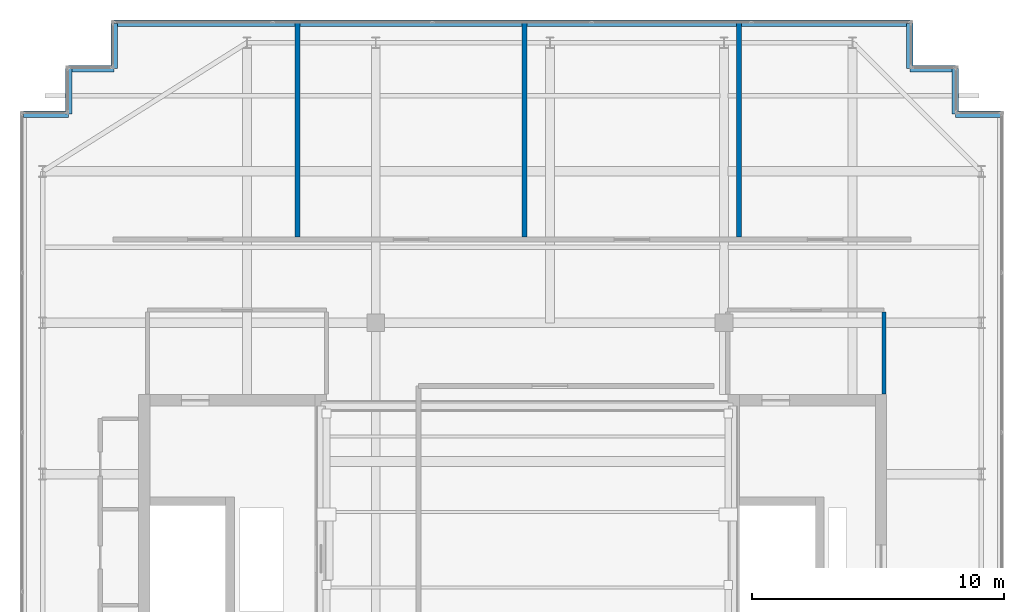
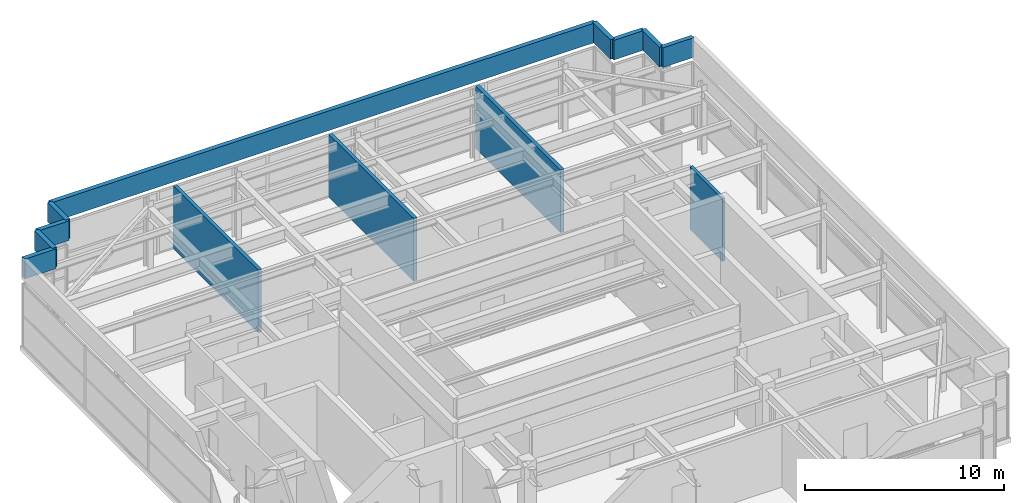
# One storey, part 32 of 33: 13 walls.
"""IFC4 building model written with IfcOpenShell, lengths in metres."""

from ifc_helpers import new_model, si_unit, direction, frame, frame_2d, origin, place, context, subcontext, project, spatial, rectangle, extrude, material, layer, layer_set, type_object, element, save


model = new_model("IFC4")

# Units and contexts
model_context = context("Model", 3, precision=1e-05, world=origin(), true_north=direction((0.0, 1.0)))
body_context = subcontext(model_context, "Body", "Model", "MODEL_VIEW")
ifc_project = project(units=[si_unit("LENGTHUNIT", "METRE"), si_unit("AREAUNIT", "SQUARE_METRE"), si_unit("VOLUMEUNIT", "CUBIC_METRE"), si_unit("PLANEANGLEUNIT", "RADIAN"), si_unit("MASSUNIT", "GRAM", prefix="KILO")], contexts=[model_context])

# Site, building, storey
site_placement = place(None, origin())
site = spatial("IfcSite", under=ifc_project, at=site_placement, CompositionType="ELEMENT")
building_placement = place(site_placement, origin())
building = spatial("IfcBuilding", under=site, at=building_placement, Name="Khoralis Quay Care Tower", CompositionType="ELEMENT")
storey_placement = place(building_placement, frame((0.0, 0.0, 314.699951171875)))
storey = spatial("IfcBuildingStorey", under=building, at=storey_placement, Name="L82", CompositionType="ELEMENT", Elevation=314.699951171875)

# Walls
ifc_material_1 = material(Name="Gypsum plasterboard on acoustic metal stud")
ifc_layer_1 = layer(ifc_material_1, 0.199951171875)
ifc_layer_set_1 = layer_set([ifc_layer_1], Name="Gypsum plasterboard on acoustic metal stud")
wall_type_1 = type_object("IfcWallType", Name="WL-COMP-200", PredefinedType="PARTITIONING", material=ifc_layer_set_1)
for number, where, z_axis, x_axis, name in (
    (1, (14.0, 33.39501953125, 0.0), (0.0, 0.0, 1.0), (0.0, 1.0, 0.0), "L82 North Plant Divider 1"),
    (2, (23.0, 33.39501953125, 0.0), (0.0, 0.0, 1.0), (0.0, 1.0, 0.0), "L82 North Plant Divider 2"),
    (3, (31.5, 33.39501953125, 0.0), (0.0, 0.0, 1.0), (0.0, 1.0, 0.0), "L82 North Plant Divider 3"),
):
    element("IfcWall", number, at=place(storey_placement, frame(where, z_axis=z_axis, x_axis=x_axis)), inside=storey, type_object=wall_type_1, Name=name, PredefinedType="PARTITIONING", context=body_context, shape_type="SweptSolid", body=[
        extrude(rectangle(XDim=8.52001953125, YDim=0.199951171875, at=frame_2d((4.260009765625, 0.0))), origin(), (0.0, 0.0, 1.0), 3.840087890625),
    ])
ifc_layer_2 = layer(ifc_material_1, 0.1650390625)
ifc_layer_set_2 = layer_set([ifc_layer_2], Name="Gypsum plasterboard on acoustic metal stud")
wall_type_2 = type_object("IfcWallType", Name="WL-CORR-165", PredefinedType="PARTITIONING", material=ifc_layer_set_2)
wall_1_placement = place(storey_placement, frame((37.25, 27.169921875, 0.0), z_axis=(0.0, 0.0, 1.0), x_axis=(0.0, 1.0, 0.0)))
element("IfcWall", 4, at=wall_1_placement, inside=storey, type_object=wall_type_2, Name="L82 East Lift Lobby East Wall", PredefinedType="PARTITIONING", context=body_context, shape_type="SweptSolid", body=[
    extrude(rectangle(XDim=3.252685546875, YDim=0.1650390625, at=frame_2d((1.62646484375, 0.0))), origin(), (0.0, 0.0, 1.0), 3.840087890625),
])
ifc_material_2 = material(Name="Precast concrete C40/50", Category="concrete")
ifc_layer_3 = layer(ifc_material_2, 0.260009765625)
ifc_layer_set_3 = layer_set([ifc_layer_3], Name="Precast concrete C40/50")
wall_type_3 = type_object("IfcWallType", Name="WL-PARAPET-260", PredefinedType="PARAPET", material=ifc_layer_set_3)
for number, where, z_axis, x_axis, name in (
    (5, (41.8701171875, 38.27001953125, 4.199951171875), (0.0, 0.0, 1.0), (-1.0, 0.0, 0.0), "Tower Roof Maintenance Parapet 07"),
    (6, (40.070068359375, 38.27001953125, 4.199951171875), (0.0, 0.0, 1.0), (0.0, 1.0, 0.0), "Tower Roof Maintenance Parapet 08"),
    (7, (40.070068359375, 40.070068359375, 4.199951171875), (0.0, 0.0, 1.0), (-1.0, 0.0, 0.0), "Tower Roof Maintenance Parapet 09"),
    (8, (38.27001953125, 40.070068359375, 4.199951171875), (0.0, 0.0, 1.0), (0.0, 1.0, 0.0), "Tower Roof Maintenance Parapet 10"),
):
    element("IfcWall", number, at=place(storey_placement, frame(where, z_axis=z_axis, x_axis=x_axis)), inside=storey, type_object=wall_type_3, Name=name, PredefinedType="PARAPET", context=body_context, shape_type="SweptSolid", body=[
        extrude(rectangle(XDim=1.800048828125, YDim=0.260009765625, at=frame_2d((0.89990234375, 0.0))), origin(), (0.0, 0.0, 1.0), 1.2001953125),
    ])
wall_2_placement = place(storey_placement, frame((38.27001953125, 41.8701171875, 4.199951171875), z_axis=(0.0, 0.0, 1.0), x_axis=(-1.0, 0.0, 0.0)))
element("IfcWall", 9, at=wall_2_placement, inside=storey, type_object=wall_type_3, Name="Tower Roof Maintenance Parapet 11", PredefinedType="PARAPET", context=body_context, shape_type="SweptSolid", body=[
    extrude(rectangle(XDim=31.5400390625, YDim=0.260009765625, at=frame_2d((15.77001953125, 0.0))), origin(), (0.0, 0.0, 1.0), 1.2001953125),
])
for number, where, z_axis, x_axis, name in (
    (10, (6.72998046875, 41.8701171875, 4.199951171875), (0.0, 0.0, 1.0), (0.0, -1.0, 0.0), "Tower Roof Maintenance Parapet 12"),
    (11, (6.72998046875, 40.070068359375, 4.199951171875), (0.0, 0.0, 1.0), (-1.0, 0.0, 0.0), "Tower Roof Maintenance Parapet 13"),
    (12, (4.929931640625, 40.070068359375, 4.199951171875), (0.0, 0.0, 1.0), (0.0, -1.0, 0.0), "Tower Roof Maintenance Parapet 14"),
    (13, (4.929931640625, 38.27001953125, 4.199951171875), (0.0, 0.0, 1.0), (-1.0, 0.0, 0.0), "Tower Roof Maintenance Parapet 15"),
):
    element("IfcWall", number, at=place(storey_placement, frame(where, z_axis=z_axis, x_axis=x_axis)), inside=storey, type_object=wall_type_3, Name=name, PredefinedType="PARAPET", context=body_context, shape_type="SweptSolid", body=[
        extrude(rectangle(XDim=1.800048828125, YDim=0.260009765625, at=frame_2d((0.89990234375, 0.0))), origin(), (0.0, 0.0, 1.0), 1.2001953125),
    ])

save(model, "model.ifc")
